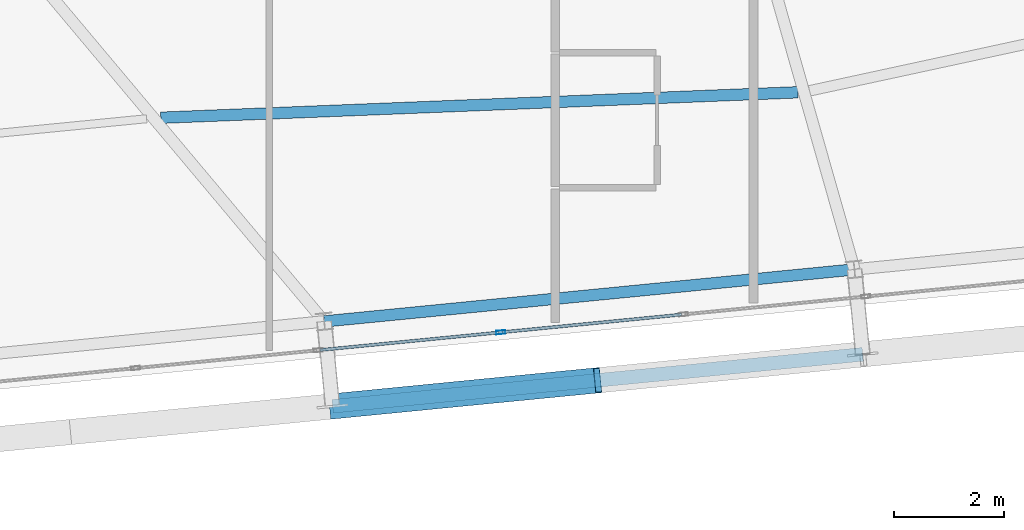
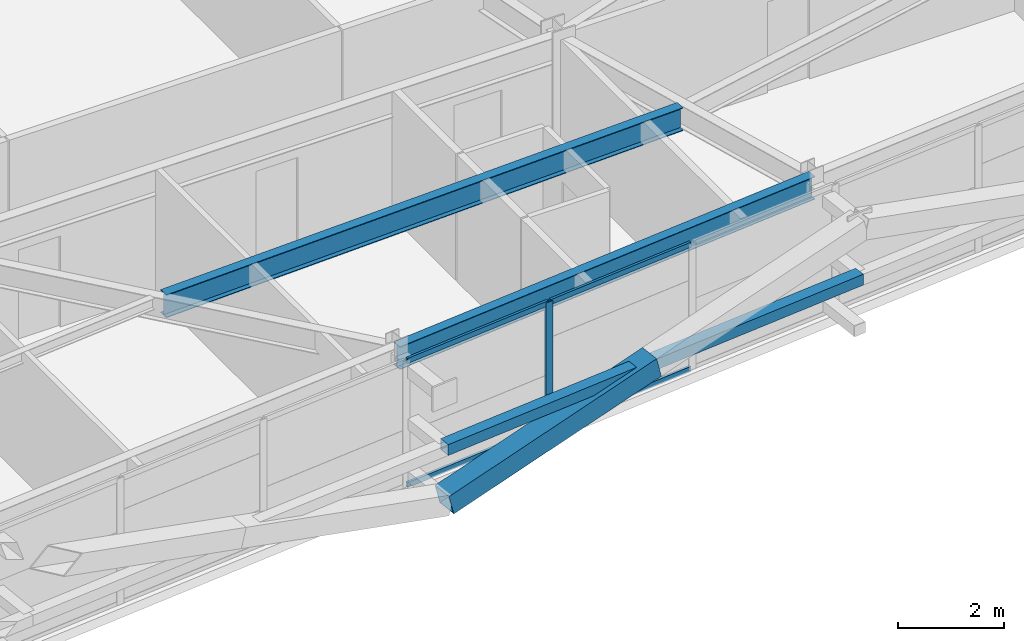
# One storey, part 11 of 52: 7 members, 2 beams, 1 element without a shape of its own.
"""IFC4 building model written with IfcOpenShell, lengths in metres."""

from ifc_helpers import new_model, si_unit, direction, frame, origin, origin_2d, place, context, subcontext, project, spatial, hollow_rectangle, i_section, extrude, source, transform, mapped, material, layer, layer_set, material_profile, profile_set, type_object, element, aggregate, save


model = new_model("IFC4")

# Units and contexts
model_context = context("Model", 3, precision=1e-05, world=origin(), true_north=direction((0.0, 1.0)))
body_context = subcontext(model_context, "Body", "Model", "MODEL_VIEW")
ifc_project = project(units=[si_unit("LENGTHUNIT", "METRE"), si_unit("AREAUNIT", "SQUARE_METRE"), si_unit("VOLUMEUNIT", "CUBIC_METRE"), si_unit("PLANEANGLEUNIT", "RADIAN"), si_unit("MASSUNIT", "GRAM", prefix="KILO")], contexts=[model_context])

# Site, building, storey
site_placement = place(None, origin())
site = spatial("IfcSite", under=ifc_project, at=site_placement, CompositionType="ELEMENT")
building_placement = place(site_placement, origin())
building = spatial("IfcBuilding", under=site, at=building_placement, Name="Taldren Reach Tower", CompositionType="ELEMENT")
storey_placement = place(building_placement, frame((0.0, 0.0, 93.449951171875)))
storey = spatial("IfcBuildingStorey", under=building, at=storey_placement, Name="L28", CompositionType="ELEMENT", Elevation=93.449951171875)

# Beams
ifc_material_1 = material(Name="Steel Gr 350 (350PLUS)", Category="steel")
ifc_material_profile_1 = material_profile(ifc_material_1, i_section(OverallWidth=0.208984375, OverallDepth=0.528076171875, WebThickness=0.009521484375, FlangeThickness=0.01318359375, at=origin_2d()), Name="530UB82.0")
ifc_profile_set_1 = profile_set([ifc_material_profile_1], Name="Steel Gr 350 (350PLUS)")
beam_type_1 = type_object("IfcBeamType", Name="SP-UB530B", PredefinedType="SPANDREL", material=ifc_profile_set_1)
shared_shape_1 = source(origin(), body_context, "Body", "SweptSolid", [
    extrude(i_section(OverallWidth=0.208984375, OverallDepth=0.528076171875, WebThickness=0.009521484375, FlangeThickness=0.01318359375, at=origin_2d()), origin(), (0.0, 0.0, 1.0), 9.679931640625),
])
beam_1_placement = place(storey_placement, frame((34.20166015625, 1.809326171875, 2.666015625), z_axis=(0.995227612658, 0.097580730699, 0.0), x_axis=(-0.097580730699, 0.995227612658, 0.0)))
element("IfcBeam", 1, at=beam_1_placement, inside=storey, type_object=beam_type_1, Name="Perimeter spandrel B2 S3-S4 L28", PredefinedType="SPANDREL", context=body_context, shape_type="MappedRepresentation", body=[
    mapped(shared_shape_1, transform((0.0, 0.0, 0.0), scale=1.0)),
])
ifc_material_profile_2 = material_profile(ifc_material_1, i_section(OverallWidth=0.208984375, OverallDepth=0.532958984375, WebThickness=0.01025390625, FlangeThickness=0.015625, at=origin_2d()), Name="530UB92.4")
ifc_profile_set_2 = profile_set([ifc_material_profile_2], Name="Steel Gr 350 (350PLUS)")
beam_type_2 = type_object("IfcBeamType", Name="BM-UB530A", PredefinedType="BEAM", material=ifc_profile_set_2)
shared_shape_2 = source(origin(), body_context, "Body", "SweptSolid", [
    extrude(i_section(OverallWidth=0.208984375, OverallDepth=0.532958984375, WebThickness=0.01025390625, FlangeThickness=0.015625, at=origin_2d()), origin(), (0.0, 0.0, 1.0), 11.586669921875),
])
beam_2_placement = place(storey_placement, frame((31.23291015625, 5.510009765625, 2.66357421875), z_axis=(0.999202506312, 0.039929329821, 0.0), x_axis=(-0.039929329821, 0.999202506312, 0.0)))
element("IfcBeam", 2, at=beam_2_placement, inside=storey, type_object=beam_type_2, Name="Secondary floor beam B2 J3 L28", PredefinedType="BEAM", context=body_context, shape_type="MappedRepresentation", body=[
    mapped(shared_shape_2, transform((0.0, 0.0, 0.0), scale=1.0)),
])

# Members
ifc_material_2 = material(Name="Steel Gr 450 (C450L0)", Category="steel")
ifc_material_profile_3 = material_profile(ifc_material_2, hollow_rectangle(XDim=0.4599609375, YDim=0.4599609375, WallThickness=0.01611328125, at=origin_2d()), Name="460x460x16.0SHS")
ifc_profile_set_3 = profile_set([ifc_material_profile_3], Name="Steel Gr 450 (C450L0)")
member_type_1 = type_object("IfcMemberType", Name="MB-EXO457", PredefinedType="BRACE", material=ifc_profile_set_3)
shared_shape_3 = source(origin(), body_context, "Body", "SweptSolid", [
    extrude(hollow_rectangle(XDim=0.4599609375, YDim=0.4599609375, WallThickness=0.01611328125, at=origin_2d()), origin(), (0.0, 0.0, 1.0), 4.990234375),
])
member_1_placement = place(storey_placement, frame((34.35302734375, 0.2666015625, 0.219970703125), z_axis=(0.965271056716, 0.094667992638, 0.243494883389), x_axis=(-0.097605711627, 0.995225162995, 0.0)))
element("IfcMember", 3, at=member_1_placement, inside=storey, type_object=member_type_1, Name="Exoskeleton Diagrid Brace B2-S3 L28", PredefinedType="BRACE", context=body_context, shape_type="MappedRepresentation", body=[
    mapped(shared_shape_3, transform((0.0, 0.0, 0.0), scale=1.0)),
])
ifc_material_3 = material(Name="Steel Gr 350 (C350L0)", Category="steel")
ifc_material_profile_4 = material_profile(ifc_material_3, hollow_rectangle(XDim=0.25, YDim=0.25, WallThickness=0.010009765625, at=origin_2d()), Name="250x250x10.0SHS")
ifc_profile_set_4 = profile_set([ifc_material_profile_4], Name="Steel Gr 350 (C350L0)")
member_type_2 = type_object("IfcMemberType", Name="MB-POST250", PredefinedType="POST", material=ifc_profile_set_4)
shared_shape_4 = source(origin(), body_context, "Body", "SweptSolid", [
    extrude(hollow_rectangle(XDim=0.25, YDim=0.25, WallThickness=0.010009765625, at=origin_2d()), origin(), (0.0, 0.0, 1.0), 9.679931640625),
])
member_2_placement = place(storey_placement, frame((34.35302734375, 0.2666015625, 1.43505859375), z_axis=(0.995225162995, 0.097605711627, 0.0), x_axis=(-0.097605711627, 0.995225162995, 0.0)))
element("IfcMember", 4, at=member_2_placement, inside=storey, type_object=member_type_2, Name="Exoskeleton mid-height ring chord B2-S3 L28", PredefinedType="POST", context=body_context, shape_type="MappedRepresentation", body=[
    mapped(shared_shape_4, transform((0.0, 0.0, 0.0), scale=1.0)),
])

# Curtain wall, members
ifc_material_4 = material(Name="Aluminium and Low-E Glass Unitised System", Category="aluminium")
ifc_layer = layer(ifc_material_4, 0.159912109375)
ifc_layer_set = layer_set([ifc_layer], Name="Aluminium and Low-E Glass Unitised System")
curtain_wall_type = type_object("IfcCurtainWallType", Name="CW-SYS-3", PredefinedType="NOTDEFINED", material=ifc_layer_set)
curtain_wall_placement = place(storey_placement, origin())
curtain_wall = element("IfcCurtainWall", 5, at=curtain_wall_placement, inside=storey, type_object=curtain_wall_type, Name="Unitised curtain wall CW-L28-S", PredefinedType="NOTDEFINED")
ifc_material_5 = material(Name="Anodised Aluminium 6063-T6", Category="aluminium")
ifc_material_profile_5 = material_profile(ifc_material_5, hollow_rectangle(XDim=0.06494140625, YDim=0.1650390625, WallThickness=0.00390625, at=origin_2d()), Name="ALU-165x65x4RHS")
ifc_profile_set_5 = profile_set([ifc_material_profile_5], Name="Anodised Aluminium 6063-T6")
member_type_3 = type_object("IfcMemberType", Name="CW-MUL-165", PredefinedType="MULLION", material=ifc_profile_set_5)
shared_shape_5 = source(origin(), body_context, "Body", "SweptSolid", [
    extrude(hollow_rectangle(XDim=0.06494140625, YDim=0.1650390625, WallThickness=0.00390625, at=origin_2d()), origin(), (0.0, 0.0, 1.0), 2.929931640625),
])
member_3_placement = place(storey_placement, frame((37.40966796875, 1.611328125, 0.0), z_axis=(0.0, 0.0, 1.0), x_axis=(-0.097582999046, 0.995227390247, 0.0)))
member_3 = element("IfcMember", 6, at=member_3_placement, type_object=member_type_3, Name="CW-3 mullion 8", PredefinedType="MULLION", context=body_context, shape_type="MappedRepresentation", body=[
    mapped(shared_shape_5, transform((0.0, 0.0, 0.0), scale=1.0)),
])
ifc_material_profile_6 = material_profile(ifc_material_5, hollow_rectangle(XDim=0.054931640625, YDim=0.1201171875, WallThickness=0.0029296875, at=origin_2d()), Name="ALU-120x55x3RHS")
ifc_profile_set_6 = profile_set([ifc_material_profile_6], Name="Anodised Aluminium 6063-T6")
member_type_4 = type_object("IfcMemberType", Name="CW-TRN-135", PredefinedType="USERDEFINED", material=ifc_profile_set_6)
shared_shape_6 = source(origin(), body_context, "Body", "SweptSolid", [
    extrude(hollow_rectangle(XDim=0.054931640625, YDim=0.1201171875, WallThickness=0.0029296875, at=origin_2d()), origin(), (0.0, 0.0, 1.0), 3.268310546875),
])
member_4_placement = place(storey_placement, frame((34.124755859375, 1.289306640625, 0.027587890625), z_axis=(0.99522980512, 0.097558367146, 0.0), x_axis=(-0.097558367146, 0.99522980512, 0.0)))
member_4 = element("IfcMember", 7, at=member_4_placement, type_object=member_type_4, Name="CW-3 transom 7.1", ObjectType="TRANSOM", PredefinedType="USERDEFINED", context=body_context, shape_type="MappedRepresentation", body=[
    mapped(shared_shape_6, transform((0.0, 0.0, 0.0), scale=1.0)),
])
member_5_placement = place(storey_placement, frame((34.124755859375, 1.289306640625, 2.902587890625), z_axis=(0.99522980512, 0.097558367146, 0.0), x_axis=(-0.097558367146, 0.99522980512, 0.0)))
member_5 = element("IfcMember", 8, at=member_5_placement, type_object=member_type_4, Name="CW-3 transom 7.2", ObjectType="TRANSOM", PredefinedType="USERDEFINED", context=body_context, shape_type="MappedRepresentation", body=[
    mapped(shared_shape_6, transform((0.0, 0.0, 0.0), scale=1.0)),
])
member_6_placement = place(storey_placement, frame((37.442138671875, 1.614501953125, 0.027587890625), z_axis=(0.995222549564, 0.097632355496, 0.0), x_axis=(-0.097632355496, 0.995222549564, 0.0)))
member_6 = element("IfcMember", 9, at=member_6_placement, type_object=member_type_4, Name="CW-3 transom 8.1", ObjectType="TRANSOM", PredefinedType="USERDEFINED", context=body_context, shape_type="MappedRepresentation", body=[
    mapped(shared_shape_6, transform((0.0, 0.0, 0.0), scale=1.0)),
])
member_7_placement = place(storey_placement, frame((37.442138671875, 1.614501953125, 2.902587890625), z_axis=(0.995222549564, 0.097632355496, 0.0), x_axis=(-0.097632355496, 0.995222549564, 0.0)))
member_7 = element("IfcMember", 10, at=member_7_placement, type_object=member_type_4, Name="CW-3 transom 8.2", ObjectType="TRANSOM", PredefinedType="USERDEFINED", context=body_context, shape_type="MappedRepresentation", body=[
    mapped(shared_shape_6, transform((0.0, 0.0, 0.0), scale=1.0)),
])
aggregate(curtain_wall, [member_3, member_4, member_5, member_6, member_7])

save(model, "model.ifc")
